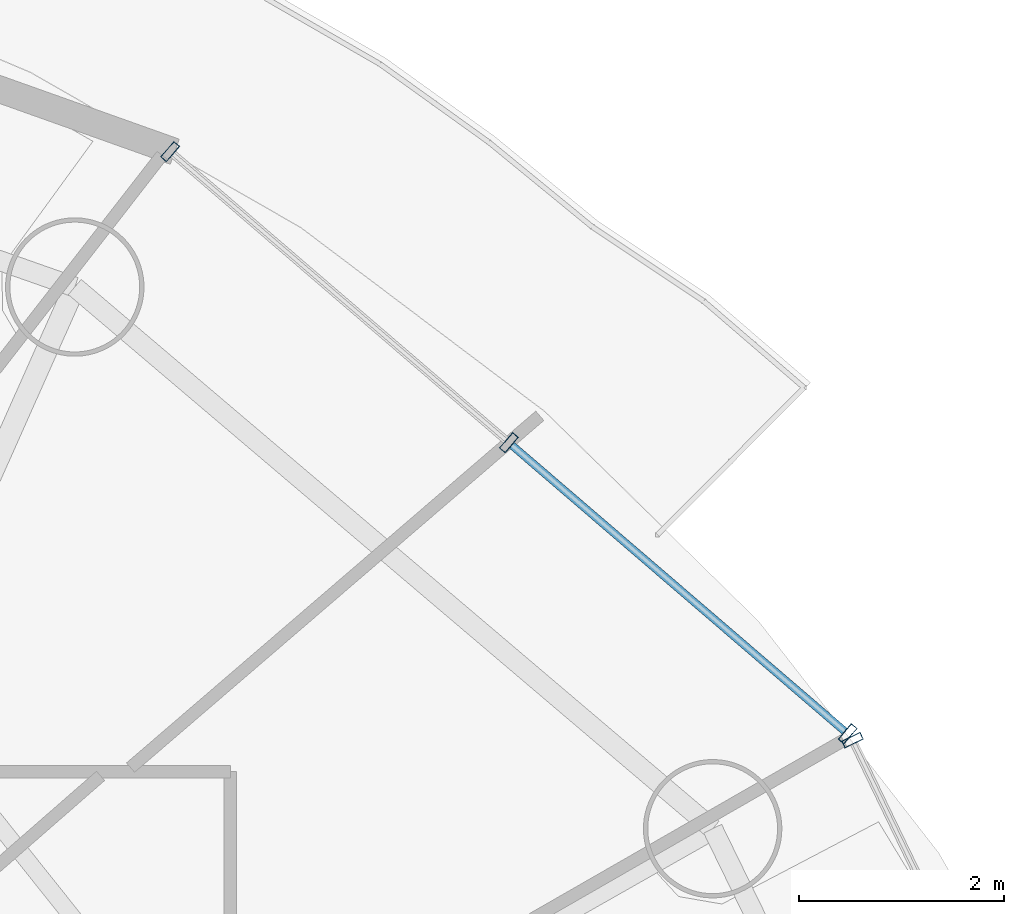
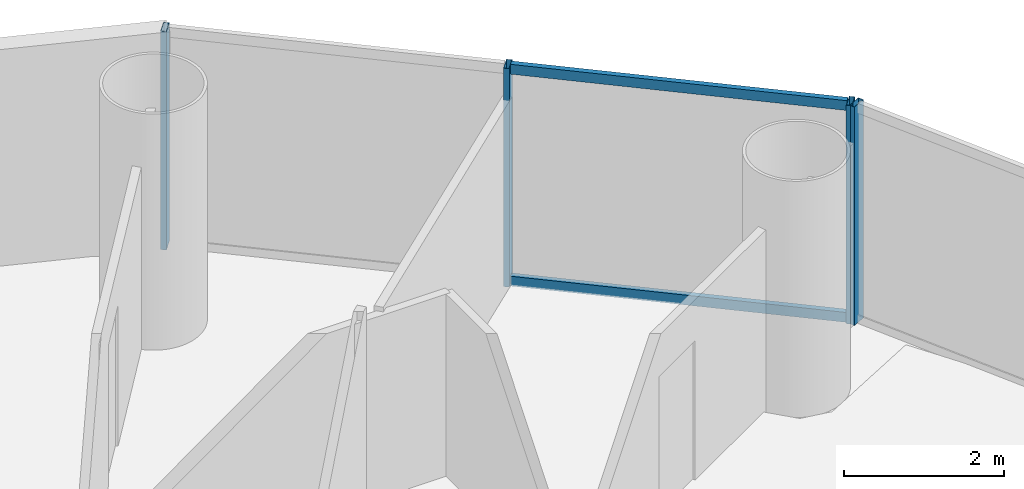
# One storey, part 19 of 27: 6 members, 2 elements without a shape of their own.
"""IFC4 building model written with IfcOpenShell, lengths in metres."""

from ifc_helpers import new_model, si_unit, direction, frame, origin, origin_2d, place, context, subcontext, project, spatial, hollow_rectangle, extrude, source, transform, mapped, material, material_profile, profile_set, type_object, element, aggregate, save


model = new_model("IFC4")

# Units and contexts
model_context = context("Model", 3, precision=1e-05, world=origin(), true_north=direction((-0.2419218956, 0.970295726276)))
body_context = subcontext(model_context, "Body", "Model", "MODEL_VIEW")
ifc_project = project(units=[si_unit("LENGTHUNIT", "METRE"), si_unit("AREAUNIT", "SQUARE_METRE"), si_unit("VOLUMEUNIT", "CUBIC_METRE"), si_unit("PLANEANGLEUNIT", "RADIAN"), si_unit("MASSUNIT", "GRAM", prefix="KILO")], contexts=[model_context])

# Site, building, storey
site_placement = place(None, origin())
site = spatial("IfcSite", under=ifc_project, at=site_placement, CompositionType="ELEMENT")
building_placement = place(site_placement, origin())
building = spatial("IfcBuilding", under=site, at=building_placement, Name="Cobrevalo Terracotta Tower", CompositionType="ELEMENT")
storey_placement = place(building_placement, frame((0.0, 0.0, 164.199951171875)))
storey = spatial("IfcBuildingStorey", under=building, at=storey_placement, Name="L43", CompositionType="ELEMENT", Elevation=164.199951171875)

# Curtain wall, member
ifc_material = material(Name="Anodized aluminium", Category="aluminium")
curtain_wall_type = type_object("IfcCurtainWallType", Name="Mid-tower high-wind unitised curtain wall CW-U2", PredefinedType="NOTDEFINED", material=ifc_material)
curtain_wall_1_placement = place(storey_placement, origin())
curtain_wall_1 = element("IfcCurtainWall", 1, at=curtain_wall_1_placement, inside=storey, type_object=curtain_wall_type, Name="L43 curtain wall CW-L43-S01", PredefinedType="NOTDEFINED")
ifc_material_profile_1 = material_profile(ifc_material, hollow_rectangle(XDim=0.074951171875, YDim=0.199951171875, WallThickness=0.0048828125, at=origin_2d()), Name="CWM 75x200")
ifc_profile_set_1 = profile_set([ifc_material_profile_1], Name="Anodized aluminium")
member_type_1 = type_object("IfcMemberType", Name="Lower/mid tower unitised mullion 75x200", PredefinedType="MULLION", material=ifc_profile_set_1)
shared_shape_1 = source(origin(), body_context, "Body", "SweptSolid", [
    extrude(hollow_rectangle(XDim=0.074951171875, YDim=0.199951171875, WallThickness=0.0048828125, at=origin_2d()), origin(), (0.0, 0.0, 1.0), 3.330078125),
])
member_1_placement = place(storey_placement, frame((58.114013671875, 38.30322265625, 0.0), z_axis=(0.0, 0.0, 1.0), x_axis=(-0.434209440271, 0.900811945957, 0.0)))
member_1 = element("IfcMember", 2, at=member_1_placement, type_object=member_type_1, Name="CW-L43-S01 vertical mullion 03", PredefinedType="MULLION", context=body_context, shape_type="MappedRepresentation", body=[
    mapped(shared_shape_1, transform((0.0, 0.0, 0.0), scale=1.0)),
])
aggregate(curtain_wall_1, [member_1])

# Curtain wall, members
curtain_wall_2_placement = place(storey_placement, origin())
curtain_wall_2 = element("IfcCurtainWall", 3, at=curtain_wall_2_placement, inside=storey, type_object=curtain_wall_type, Name="L43 curtain wall CW-L43-S02", PredefinedType="NOTDEFINED")
member_2_placement = place(storey_placement, frame((58.066162109375, 38.365234375, 0.0), z_axis=(0.0, 0.0, 1.0), x_axis=(-0.758441546142, 0.65174106905, 0.0)))
member_2 = element("IfcMember", 4, at=member_2_placement, type_object=member_type_1, Name="CW-L43-S02 vertical mullion 01", PredefinedType="MULLION", context=body_context, shape_type="MappedRepresentation", body=[
    mapped(shared_shape_1, transform((0.0, 0.0, 0.0), scale=1.0)),
])
member_3_placement = place(storey_placement, frame((54.762451171875, 41.204345703125, 0.0), z_axis=(0.0, 0.0, 1.0), x_axis=(-0.758441546142, 0.65174106905, 0.0)))
member_3 = element("IfcMember", 5, at=member_3_placement, type_object=member_type_1, Name="CW-L43-S02 vertical mullion 02", PredefinedType="MULLION", context=body_context, shape_type="MappedRepresentation", body=[
    mapped(shared_shape_1, transform((0.0, 0.0, 0.0), scale=1.0)),
])
member_4_placement = place(storey_placement, frame((51.45849609375, 44.04345703125, 0.0), z_axis=(0.0, 0.0, 1.0), x_axis=(-0.758441546142, 0.65174106905, 0.0)))
member_4 = element("IfcMember", 6, at=member_4_placement, type_object=member_type_1, Name="CW-L43-S02 vertical mullion 03", PredefinedType="MULLION", context=body_context, shape_type="MappedRepresentation", body=[
    mapped(shared_shape_1, transform((0.0, 0.0, 0.0), scale=1.0)),
])
ifc_material_profile_2 = material_profile(ifc_material, hollow_rectangle(XDim=0.074951171875, YDim=0.14990234375, WallThickness=0.00439453125, at=origin_2d()), Name="CWT 75x150")
ifc_profile_set_2 = profile_set([ifc_material_profile_2], Name="Anodized aluminium")
member_type_2 = type_object("IfcMemberType", Name="Tower unitised aluminium transom 75x150", PredefinedType="USERDEFINED", material=ifc_profile_set_2)
shared_shape_2 = source(origin(), body_context, "Body", "SweptSolid", [
    extrude(hollow_rectangle(XDim=0.074951171875, YDim=0.14990234375, WallThickness=0.00439453125, at=origin_2d()), origin(), (0.0, 0.0, 1.0), 4.276123046875),
])
member_5_placement = place(storey_placement, frame((58.035888671875, 38.391357421875, 0.050048828125), z_axis=(-0.758445941187, 0.65173595443, 0.0), x_axis=(-0.65173595443, -0.758445941187, 0.0)))
member_5 = element("IfcMember", 7, at=member_5_placement, type_object=member_type_2, Name="CW-L43-S02 transom B01-T1", ObjectType="TRANSOM", PredefinedType="USERDEFINED", context=body_context, shape_type="MappedRepresentation", body=[
    mapped(shared_shape_2, transform((0.0, 0.0, 0.0), scale=1.0)),
])
member_6_placement = place(storey_placement, frame((58.035888671875, 38.391357421875, 3.280029296875), z_axis=(-0.758445941187, 0.65173595443, 0.0), x_axis=(-0.65173595443, -0.758445941187, 0.0)))
member_6 = element("IfcMember", 8, at=member_6_placement, type_object=member_type_2, Name="CW-L43-S02 transom B01-T2", ObjectType="TRANSOM", PredefinedType="USERDEFINED", context=body_context, shape_type="MappedRepresentation", body=[
    mapped(shared_shape_2, transform((0.0, 0.0, 0.0), scale=1.0)),
])
aggregate(curtain_wall_2, [member_2, member_3, member_4, member_5, member_6])

save(model, "model.ifc")
